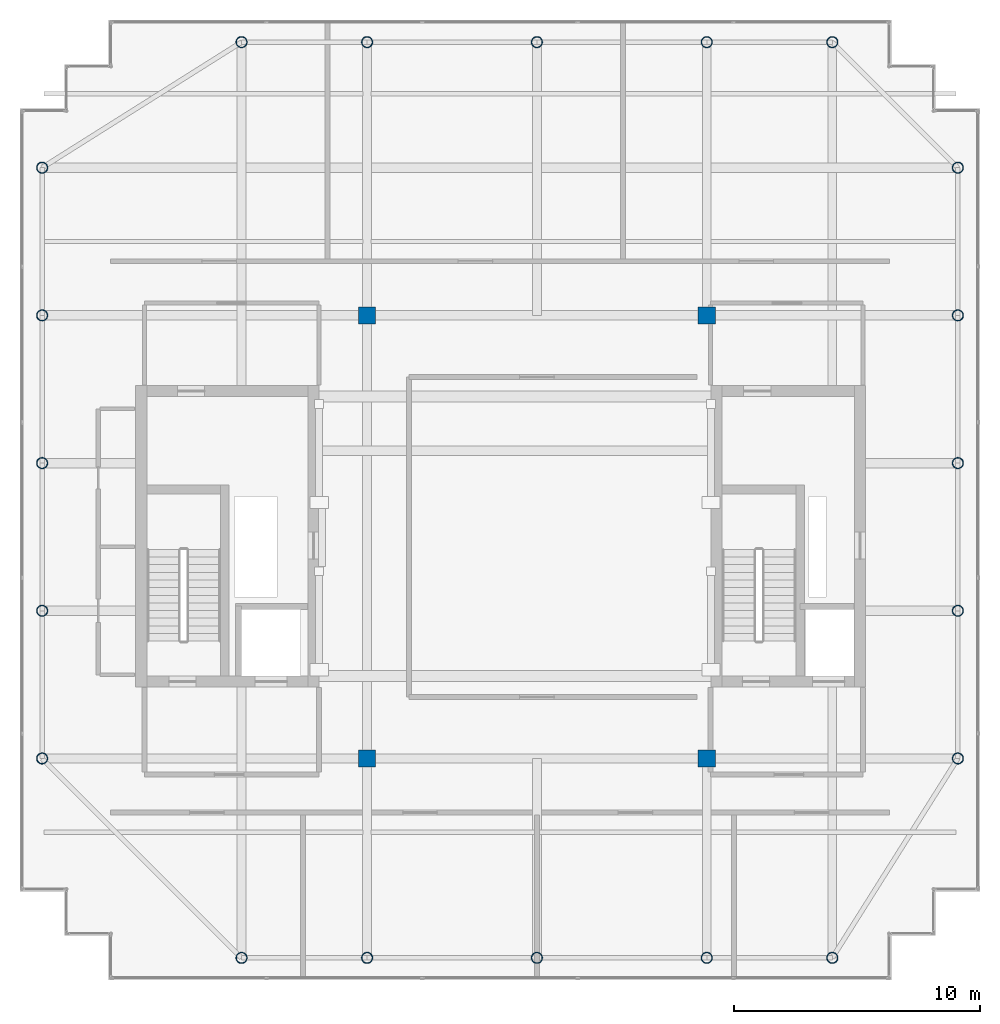
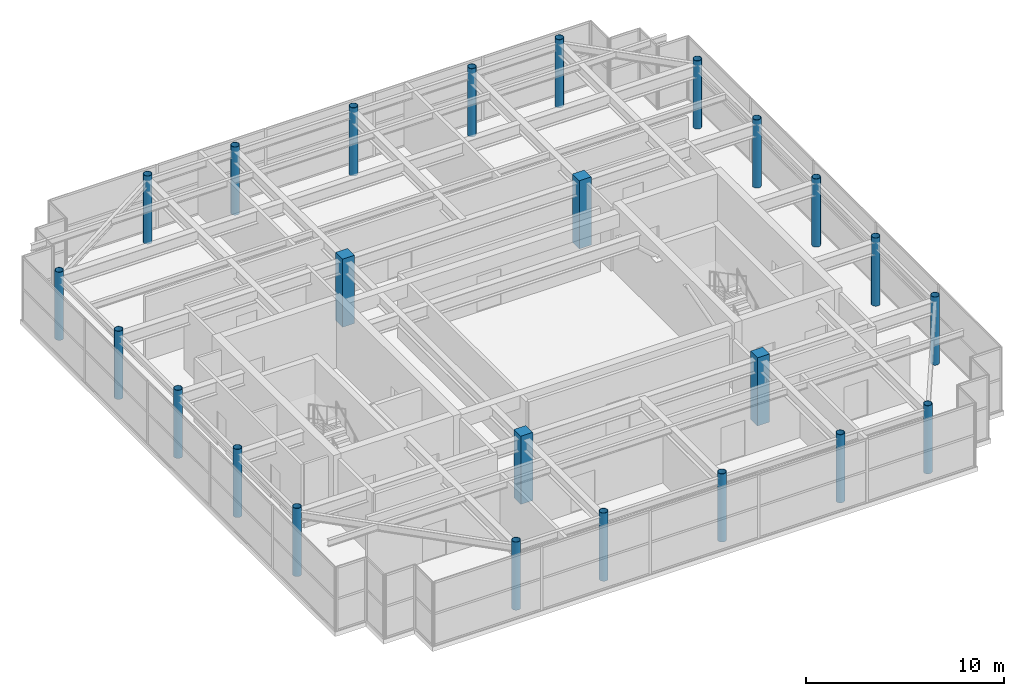
# One storey, part 1 of 32: 24 columns.
"""IFC4 building model written with IfcOpenShell, lengths in metres."""

from ifc_helpers import new_model, si_unit, direction, frame, origin, origin_2d, place, context, subcontext, project, spatial, rectangle, hollow_circle, extrude, source, transform, mapped, material, material_profile, profile_set, type_object, element, save


model = new_model("IFC4")

# Units and contexts
model_context = context("Model", 3, precision=1e-05, world=origin(), true_north=direction((0.0, 1.0)))
body_context = subcontext(model_context, "Body", "Model", "MODEL_VIEW")
ifc_project = project(units=[si_unit("LENGTHUNIT", "METRE"), si_unit("AREAUNIT", "SQUARE_METRE"), si_unit("VOLUMEUNIT", "CUBIC_METRE"), si_unit("PLANEANGLEUNIT", "RADIAN"), si_unit("MASSUNIT", "GRAM", prefix="KILO")], contexts=[model_context])

# Site, building, storey
site_placement = place(None, origin())
site = spatial("IfcSite", under=ifc_project, at=site_placement, CompositionType="ELEMENT")
building_placement = place(site_placement, origin())
building = spatial("IfcBuilding", under=site, at=building_placement, Name="Khoralis Quay Care Tower", CompositionType="ELEMENT")
storey_placement = place(building_placement, frame((0.0, 0.0, 310.5)))
storey = spatial("IfcBuildingStorey", under=building, at=storey_placement, Name="L81", CompositionType="ELEMENT", Elevation=310.5)

# Columns
ifc_material_1 = material(Name="Concrete C50/60", Category="concrete")
ifc_material_profile_1 = material_profile(ifc_material_1, rectangle(XDim=0.699951171875, YDim=0.699951171875, at=origin_2d()), Name="Concrete C50/60")
ifc_profile_set_1 = profile_set([ifc_material_profile_1], Name="Concrete C50/60")
column_type_1 = type_object("IfcColumnType", Name="COL-C700", PredefinedType="COLUMN", material=ifc_profile_set_1)
shared_shape_1 = source(origin(), body_context, "Body", "SweptSolid", [
    extrude(rectangle(XDim=0.699951171875, YDim=0.699951171875, at=origin_2d()), origin(), (0.0, 0.0, 1.0), 4.199951171875),
])
for number, where, z_axis, x_axis, name in (
    (1, (17.10009765625, 12.0, 0.0), (0.0, 0.0, 1.0), (1.0, 0.0, 0.0), "COL-TWR-L81-21"),
    (2, (17.10009765625, 30.0, 0.0), (0.0, 0.0, 1.0), (1.0, 0.0, 0.0), "COL-TWR-L81-22"),
    (3, (30.89990234375, 12.0, 0.0), (0.0, 0.0, 1.0), (1.0, 0.0, 0.0), "COL-TWR-L81-23"),
    (4, (30.89990234375, 30.0, 0.0), (0.0, 0.0, 1.0), (1.0, 0.0, 0.0), "COL-TWR-L81-24"),
):
    element("IfcColumn", number, at=place(storey_placement, frame(where, z_axis=z_axis, x_axis=x_axis)), inside=storey, type_object=column_type_1, Name=name, PredefinedType="COLUMN", context=body_context, shape_type="MappedRepresentation", body=[
        mapped(shared_shape_1, transform((0.0, 0.0, 0.0), scale=1.0)),
    ])
ifc_material_2 = material(Name="Steel S460", Category="steel")
ifc_material_profile_2 = material_profile(ifc_material_2, hollow_circle(Radius=0.228515625, WallThickness=0.02490234375, at=origin_2d()), Name="Steel S460")
ifc_profile_set_2 = profile_set([ifc_material_profile_2], Name="Steel S460")
column_type_2 = type_object("IfcColumnType", Name="COL-LN-CHS457", PredefinedType="COLUMN", material=ifc_profile_set_2)
shared_shape_2 = source(origin(), body_context, "Body", "SweptSolid", [
    extrude(hollow_circle(Radius=0.228515625, WallThickness=0.02490234375, at=origin_2d()), origin(), (0.0, 0.0, 1.0), 4.199951171875),
])
for number, where, z_axis, x_axis, name in (
    (5, (12.0, 3.89990234375, 0.0), (0.0, 0.0, 1.0), (1.0, 0.0, 0.0), "COL-TWR-L81-01"),
    (6, (12.0, 41.10009765625, 0.0), (0.0, 0.0, 1.0), (1.0, 0.0, 0.0), "COL-TWR-L81-02"),
    (7, (17.10009765625, 3.89990234375, 0.0), (0.0, 0.0, 1.0), (1.0, 0.0, 0.0), "COL-TWR-L81-03"),
    (8, (17.10009765625, 41.10009765625, 0.0), (0.0, 0.0, 1.0), (1.0, 0.0, 0.0), "COL-TWR-L81-04"),
    (9, (24.0, 3.89990234375, 0.0), (0.0, 0.0, 1.0), (1.0, 0.0, 0.0), "COL-TWR-L81-05"),
    (10, (24.0, 41.10009765625, 0.0), (0.0, 0.0, 1.0), (1.0, 0.0, 0.0), "COL-TWR-L81-06"),
    (11, (30.89990234375, 3.89990234375, 0.0), (0.0, 0.0, 1.0), (1.0, 0.0, 0.0), "COL-TWR-L81-07"),
    (12, (30.89990234375, 41.10009765625, 0.0), (0.0, 0.0, 1.0), (1.0, 0.0, 0.0), "COL-TWR-L81-08"),
    (13, (36.0, 3.89990234375, 0.0), (0.0, 0.0, 1.0), (1.0, 0.0, 0.0), "COL-TWR-L81-09"),
    (14, (36.0, 41.10009765625, 0.0), (0.0, 0.0, 1.0), (1.0, 0.0, 0.0), "COL-TWR-L81-10"),
    (15, (3.89990234375, 12.0, 0.0), (0.0, 0.0, 1.0), (1.0, 0.0, 0.0), "COL-TWR-L81-11"),
    (16, (41.10009765625, 12.0, 0.0), (0.0, 0.0, 1.0), (1.0, 0.0, 0.0), "COL-TWR-L81-12"),
    (17, (3.89990234375, 18.0, 0.0), (0.0, 0.0, 1.0), (1.0, 0.0, 0.0), "COL-TWR-L81-13"),
    (18, (41.10009765625, 18.0, 0.0), (0.0, 0.0, 1.0), (1.0, 0.0, 0.0), "COL-TWR-L81-14"),
    (19, (3.89990234375, 24.0, 0.0), (0.0, 0.0, 1.0), (1.0, 0.0, 0.0), "COL-TWR-L81-15"),
    (20, (41.10009765625, 24.0, 0.0), (0.0, 0.0, 1.0), (1.0, 0.0, 0.0), "COL-TWR-L81-16"),
    (21, (3.89990234375, 30.0, 0.0), (0.0, 0.0, 1.0), (1.0, 0.0, 0.0), "COL-TWR-L81-17"),
    (22, (41.10009765625, 30.0, 0.0), (0.0, 0.0, 1.0), (1.0, 0.0, 0.0), "COL-TWR-L81-18"),
    (23, (3.89990234375, 36.0, 0.0), (0.0, 0.0, 1.0), (1.0, 0.0, 0.0), "COL-TWR-L81-19"),
    (24, (41.10009765625, 36.0, 0.0), (0.0, 0.0, 1.0), (1.0, 0.0, 0.0), "COL-TWR-L81-20"),
):
    element("IfcColumn", number, at=place(storey_placement, frame(where, z_axis=z_axis, x_axis=x_axis)), inside=storey, type_object=column_type_2, Name=name, PredefinedType="COLUMN", context=body_context, shape_type="MappedRepresentation", body=[
        mapped(shared_shape_2, transform((0.0, 0.0, 0.0), scale=1.0)),
    ])

save(model, "model.ifc")
